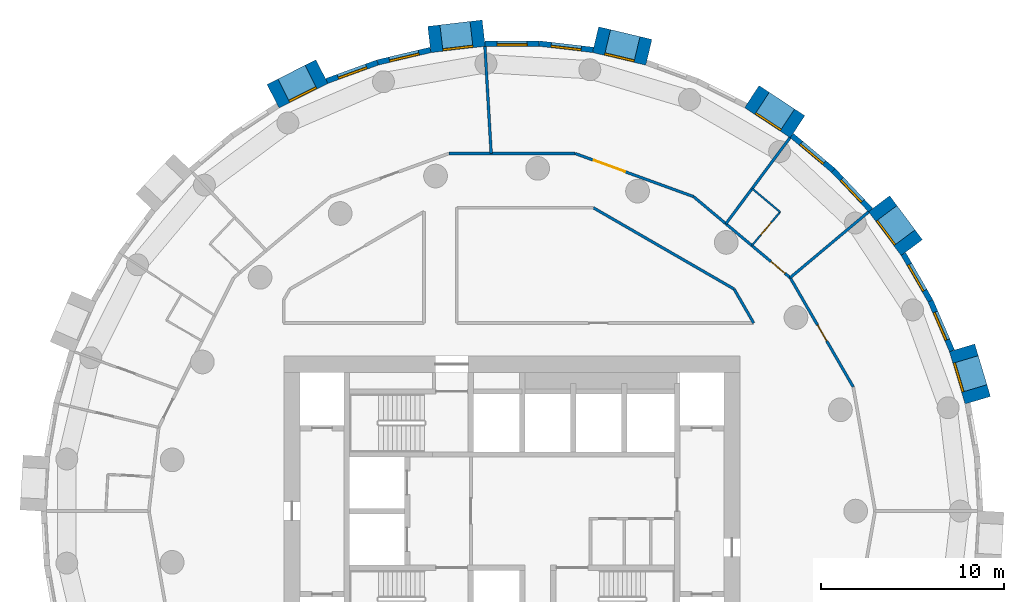
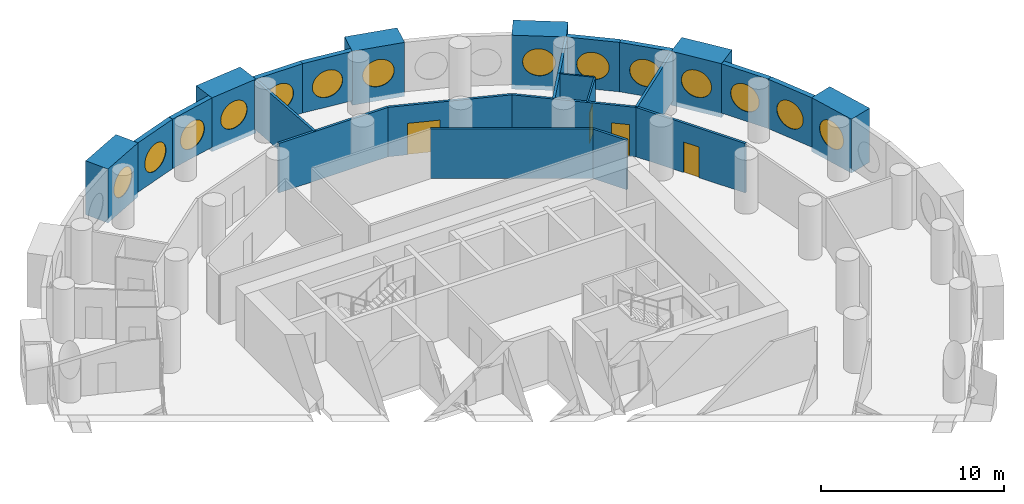
# One storey, part 7 of 9: 25 walls, 14 windows, 4 doors, 18 openings.
"""IFC4 building model written with IfcOpenShell, lengths in metres."""

from ifc_helpers import new_model, si_unit, direction, frame, frame_2d, origin, origin_2d, place, context, subcontext, project, spatial, rectangle, circle, extrude, material, layer, layer_set, type_object, element, fill, save


model = new_model("IFC4")

# Units and contexts
model_context = context("Model", 3, precision=1e-05, world=origin(), true_north=direction((0.0, 1.0)))
body_context = subcontext(model_context, "Body", "Model", "MODEL_VIEW")
ifc_project = project(units=[si_unit("LENGTHUNIT", "METRE"), si_unit("AREAUNIT", "SQUARE_METRE"), si_unit("VOLUMEUNIT", "CUBIC_METRE"), si_unit("PLANEANGLEUNIT", "RADIAN"), si_unit("MASSUNIT", "GRAM", prefix="KILO")], contexts=[model_context])

# Site, building, storey
site_placement = place(None, origin())
site = spatial("IfcSite", under=ifc_project, at=site_placement, CompositionType="ELEMENT")
building_placement = place(site_placement, origin())
building = spatial("IfcBuilding", under=site, at=building_placement, Name="Tracery Tower", CompositionType="ELEMENT")
storey_placement = place(building_placement, frame((0.0, 0.0, 180.0)))
storey = spatial("IfcBuildingStorey", under=building, at=storey_placement, Name="L46", CompositionType="ELEMENT", Elevation=180.0)

# Wall, opening, window
ifc_material_1 = material(Name="Precast concrete C50/60", Category="concrete")
ifc_layer_1 = layer(ifc_material_1, 1.449951171875)
ifc_layer_set_1 = layer_set([ifc_layer_1], Name="Deep-set bay unit 3000 x 3600, slab edge 300")
wall_type_1 = type_object("IfcWallType", Name="Deep-set bay unit 3000 x 3600, slab edge 300", PredefinedType="ELEMENTEDWALL", material=ifc_layer_set_1)
wall_1_placement = place(storey_placement, frame((25.509521484375, 6.0712890625, -0.300048828125), z_axis=(0.0, 0.0, 1.0), x_axis=(-0.286780420304, 0.957996341606, 0.0)))
wall_1 = element("IfcWall", 1, at=wall_1_placement, inside=storey, type_object=wall_type_1, Name="Deep-set bay unit 3 at L46", PredefinedType="ELEMENTEDWALL", context=body_context, shape_type="SweptSolid", body=[
    extrude(rectangle(XDim=3.0, YDim=1.449951171875, at=frame_2d((1.5, 0.0))), origin(), (0.0, 0.0, 1.0), 3.60009765625),
])
opening_1_placement = place(wall_1_placement, frame((1.5, 0.0, 1.85009765625)))
opening_1 = element("IfcOpeningElement", 2, at=opening_1_placement, cuts=wall_1, Name="Opening WN1", PredefinedType="OPENING", context=body_context, shape_type="SweptSolid", body=[
    extrude(circle(Radius=0.9000244140625, at=origin_2d()), frame((0.0, 0.73486328125, 0.0), z_axis=(0.0, -1.0, 0.0), x_axis=(1.0, 0.0, 0.0)), (0.0, 0.0, 1.0), 1.469970703125),
])
ifc_material_2 = material(Name="Aluminium frame with tinted double glazing", Category="aluminium")
window_type = type_object("IfcWindowType", Name="Round window 1800", PartitioningType="SINGLE_PANEL", PredefinedType="WINDOW", material=ifc_material_2)
window_1_placement = place(opening_1_placement, origin())
window_1 = element("IfcWindow", 3, at=window_1_placement, inside=storey, type_object=window_type, Name="Round window 3 at L46", OverallHeight=1.800048828125, OverallWidth=1.800048828125, PartitioningType="SINGLE_PANEL", PredefinedType="WINDOW", context=body_context, shape_type="SweptSolid", body=[
    extrude(circle(Radius=0.9000244140625, at=origin_2d()), frame((0.0, 0.69482421875, 0.0), z_axis=(0.0, -1.0, 0.0), x_axis=(1.0, 0.0, 0.0)), (0.0, 0.0, 1.0), 0.10009765625),
])
fill(opening_1, window_1)

wall_2_placement = place(storey_placement, frame((21.89453125, 14.429931640625, -0.300048828125), z_axis=(0.0, 0.0, 1.0), x_axis=(-0.597183717734, 0.802104486506, 0.0)))
wall_2 = element("IfcWall", 4, at=wall_2_placement, inside=storey, type_object=wall_type_1, Name="Deep-set bay unit 6 at L46", PredefinedType="ELEMENTEDWALL", context=body_context, shape_type="SweptSolid", body=[
    extrude(rectangle(XDim=3.0, YDim=1.449951171875, at=frame_2d((1.5, 0.0))), origin(), (0.0, 0.0, 1.0), 3.60009765625),
])
opening_2_placement = place(wall_2_placement, frame((1.5, 0.0, 1.85009765625)))
opening_2 = element("IfcOpeningElement", 5, at=opening_2_placement, cuts=wall_2, Name="Opening WN1", PredefinedType="OPENING", context=body_context, shape_type="SweptSolid", body=[
    extrude(circle(Radius=0.9000244140625, at=origin_2d()), frame((0.0, 0.73486328125, 0.0), z_axis=(0.0, -1.0, 0.0), x_axis=(1.0, 0.0, 0.0)), (0.0, 0.0, 1.0), 1.469970703125),
])
window_2_placement = place(opening_2_placement, origin())
window_2 = element("IfcWindow", 6, at=window_2_placement, inside=storey, type_object=window_type, Name="Round window 6 at L46", OverallHeight=1.800048828125, OverallWidth=1.800048828125, PartitioningType="SINGLE_PANEL", PredefinedType="WINDOW", context=body_context, shape_type="SweptSolid", body=[
    extrude(circle(Radius=0.9000244140625, at=origin_2d()), frame((0.0, 0.69482421875, 0.0), z_axis=(0.0, -1.0, 0.0), x_axis=(1.0, 0.0, 0.0)), (0.0, 0.0, 1.0), 0.10009765625),
])
fill(opening_2, window_2)

wall_3_placement = place(storey_placement, frame((15.638916015625, 21.048095703125, -0.300048828125), z_axis=(0.0, 0.0, 1.0), x_axis=(-0.835514416706, 0.549468524554, 0.0)))
wall_3 = element("IfcWall", 7, at=wall_3_placement, inside=storey, type_object=wall_type_1, Name="Deep-set bay unit 9 at L46", PredefinedType="ELEMENTEDWALL", context=body_context, shape_type="SweptSolid", body=[
    extrude(rectangle(XDim=3.0, YDim=1.449951171875, at=frame_2d((1.5, 0.0))), origin(), (0.0, 0.0, 1.0), 3.60009765625),
])
opening_3_placement = place(wall_3_placement, frame((1.5, 0.0, 1.85009765625)))
opening_3 = element("IfcOpeningElement", 8, at=opening_3_placement, cuts=wall_3, Name="Opening WN1", PredefinedType="OPENING", context=body_context, shape_type="SweptSolid", body=[
    extrude(circle(Radius=0.9000244140625, at=origin_2d()), frame((0.0, 0.73486328125, 0.0), z_axis=(0.0, -1.0, 0.0), x_axis=(1.0, 0.0, 0.0)), (0.0, 0.0, 1.0), 1.469970703125),
])
window_3_placement = place(opening_3_placement, origin())
window_3 = element("IfcWindow", 9, at=window_3_placement, inside=storey, type_object=window_type, Name="Round window 9 at L46", OverallHeight=1.800048828125, OverallWidth=1.800048828125, PartitioningType="SINGLE_PANEL", PredefinedType="WINDOW", context=body_context, shape_type="SweptSolid", body=[
    extrude(circle(Radius=0.9000244140625, at=origin_2d()), frame((0.0, 0.69482421875, 0.0), z_axis=(0.0, -1.0, 0.0), x_axis=(1.0, 0.0, 0.0)), (0.0, 0.0, 1.0), 0.10009765625),
])
fill(opening_3, window_3)

wall_4_placement = place(storey_placement, frame((7.496826171875, 25.12744140625, -0.300048828125), z_axis=(0.0, 0.0, 1.0), x_axis=(-0.973042333261, 0.23062657627, 0.0)))
wall_4 = element("IfcWall", 10, at=wall_4_placement, inside=storey, type_object=wall_type_1, Name="Deep-set bay unit 12 at L46", PredefinedType="ELEMENTEDWALL", context=body_context, shape_type="SweptSolid", body=[
    extrude(rectangle(XDim=3.0, YDim=1.449951171875, at=frame_2d((1.5, 0.0))), origin(), (0.0, 0.0, 1.0), 3.60009765625),
])
opening_4_placement = place(wall_4_placement, frame((1.5, 0.0, 1.85009765625)))
opening_4 = element("IfcOpeningElement", 11, at=opening_4_placement, cuts=wall_4, Name="Opening WN1", PredefinedType="OPENING", context=body_context, shape_type="SweptSolid", body=[
    extrude(circle(Radius=0.9000244140625, at=origin_2d()), frame((0.0, 0.73486328125, 0.0), z_axis=(0.0, -1.0, 0.0), x_axis=(1.0, 0.0, 0.0)), (0.0, 0.0, 1.0), 1.469970703125),
])
window_4_placement = place(opening_4_placement, origin())
window_4 = element("IfcWindow", 12, at=window_4_placement, inside=storey, type_object=window_type, Name="Round window 12 at L46", OverallHeight=1.800048828125, OverallWidth=1.800048828125, PartitioningType="SINGLE_PANEL", PredefinedType="WINDOW", context=body_context, shape_type="SweptSolid", body=[
    extrude(circle(Radius=0.9000244140625, at=origin_2d()), frame((0.0, 0.69482421875, 0.0), z_axis=(0.0, -1.0, 0.0), x_axis=(1.0, 0.0, 0.0)), (0.0, 0.0, 1.0), 0.10009765625),
])
fill(opening_4, window_4)

wall_5_placement = place(storey_placement, frame((-1.54931640625, 26.17626953125, -0.300048828125), z_axis=(0.0, 0.0, 1.0), x_axis=(-0.9932342274, -0.116128246006, 0.0)))
wall_5 = element("IfcWall", 13, at=wall_5_placement, inside=storey, type_object=wall_type_1, Name="Deep-set bay unit 15 at L46", PredefinedType="ELEMENTEDWALL", context=body_context, shape_type="SweptSolid", body=[
    extrude(rectangle(XDim=3.0, YDim=1.449951171875, at=frame_2d((1.5, 0.0))), origin(), (0.0, 0.0, 1.0), 3.60009765625),
])
opening_5_placement = place(wall_5_placement, frame((1.5, 0.0, 1.85009765625)))
opening_5 = element("IfcOpeningElement", 14, at=opening_5_placement, cuts=wall_5, Name="Opening WN1", PredefinedType="OPENING", context=body_context, shape_type="SweptSolid", body=[
    extrude(circle(Radius=0.9000244140625, at=origin_2d()), frame((0.0, 0.73486328125, 0.0), z_axis=(0.0, -1.0, 0.0), x_axis=(1.0, 0.0, 0.0)), (0.0, 0.0, 1.0), 1.469970703125),
])
window_5_placement = place(opening_5_placement, origin())
window_5 = element("IfcWindow", 15, at=window_5_placement, inside=storey, type_object=window_type, Name="Round window 15 at L46", OverallHeight=1.800048828125, OverallWidth=1.800048828125, PartitioningType="SINGLE_PANEL", PredefinedType="WINDOW", context=body_context, shape_type="SweptSolid", body=[
    extrude(circle(Radius=0.9000244140625, at=origin_2d()), frame((0.0, 0.69482421875, 0.0), z_axis=(0.0, -1.0, 0.0), x_axis=(1.0, 0.0, 0.0)), (0.0, 0.0, 1.0), 0.10009765625),
])
fill(opening_5, window_5)

wall_6_placement = place(storey_placement, frame((-10.40869140625, 24.067626953125, -0.300048828125), z_axis=(0.0, 0.0, 1.0), x_axis=(-0.893628249713, -0.448807922518, 0.0)))
wall_6 = element("IfcWall", 16, at=wall_6_placement, inside=storey, type_object=wall_type_1, Name="Deep-set bay unit 18 at L46", PredefinedType="ELEMENTEDWALL", context=body_context, shape_type="SweptSolid", body=[
    extrude(rectangle(XDim=3.0, YDim=1.449951171875, at=frame_2d((1.5, 0.0))), origin(), (0.0, 0.0, 1.0), 3.60009765625),
])
opening_6_placement = place(wall_6_placement, frame((1.5, 0.0, 1.85009765625)))
opening_6 = element("IfcOpeningElement", 17, at=opening_6_placement, cuts=wall_6, Name="Opening WN1", PredefinedType="OPENING", context=body_context, shape_type="SweptSolid", body=[
    extrude(circle(Radius=0.9000244140625, at=origin_2d()), frame((0.0, 0.73486328125, 0.0), z_axis=(0.0, -1.0, 0.0), x_axis=(1.0, 0.0, 0.0)), (0.0, 0.0, 1.0), 1.469970703125),
])
window_6_placement = place(opening_6_placement, origin())
window_6 = element("IfcWindow", 18, at=window_6_placement, inside=storey, type_object=window_type, Name="Round window 18 at L46", OverallHeight=1.800048828125, OverallWidth=1.800048828125, PartitioningType="SINGLE_PANEL", PredefinedType="WINDOW", context=body_context, shape_type="SweptSolid", body=[
    extrude(circle(Radius=0.9000244140625, at=origin_2d()), frame((0.0, 0.69482421875, 0.0), z_axis=(0.0, -1.0, 0.0), x_axis=(1.0, 0.0, 0.0)), (0.0, 0.0, 1.0), 0.10009765625),
])
fill(opening_6, window_6)

ifc_material_3 = material(Name="Precast concrete C50/60", Category="concrete")
ifc_layer_2 = layer(ifc_material_3, 0.300048828125)
ifc_layer_set_2 = layer_set([ifc_layer_2], Name="Facade panel 3000 x 3300")
wall_type_2 = type_object("IfcWallType", Name="Facade panel 3000 x 3300", PredefinedType="SOLIDWALL", material=ifc_layer_set_2)
wall_7_placement = place(storey_placement, frame((24.096923828125, 8.78076171875, 0.0), z_axis=(0.0, 0.0, 1.0), x_axis=(-0.396078892785, 0.918216483565, 0.0)))
wall_7 = element("IfcWall", 19, at=wall_7_placement, inside=storey, type_object=wall_type_2, Name="Facade panel 4 at L46", PredefinedType="SOLIDWALL", context=body_context, shape_type="SweptSolid", body=[
    extrude(rectangle(XDim=2.972900390625, YDim=0.300048828125, at=frame_2d((1.486328125, 0.0))), origin(), (0.0, 0.0, 1.0), 3.300048828125),
])
opening_7_placement = place(wall_7_placement, frame((1.486328125, 0.0, 1.5498046875)))
opening_7 = element("IfcOpeningElement", 20, at=opening_7_placement, cuts=wall_7, Name="Opening WN1", PredefinedType="OPENING", context=body_context, shape_type="SweptSolid", body=[
    extrude(circle(Radius=0.9000244140625, at=origin_2d()), frame((0.0, 0.159912109375, 0.0), z_axis=(0.0, -1.0, 0.0), x_axis=(1.0, 0.0, 0.0)), (0.0, 0.0, 1.0), 0.320068359375),
])
window_7_placement = place(opening_7_placement, origin())
window_7 = element("IfcWindow", 21, at=window_7_placement, inside=storey, type_object=window_type, Name="Round window 4 at L46", OverallHeight=1.800048828125, OverallWidth=1.800048828125, PartitioningType="SINGLE_PANEL", PredefinedType="WINDOW", context=body_context, shape_type="SweptSolid", body=[
    extrude(circle(Radius=0.9000244140625, at=origin_2d()), frame((0.0, 0.1201171875, 0.0), z_axis=(0.0, -1.0, 0.0), x_axis=(1.0, 0.0, 0.0)), (0.0, 0.0, 1.0), 0.10009765625),
])
fill(opening_7, window_7)

wall_8_placement = place(storey_placement, frame((22.91943359375, 11.510498046875, 0.0), z_axis=(0.0, 0.0, 1.0), x_axis=(-0.500016263033, 0.866016014115, 0.0)))
wall_8 = element("IfcWall", 22, at=wall_8_placement, inside=storey, type_object=wall_type_2, Name="Facade panel 5 at L46", PredefinedType="SOLIDWALL", context=body_context, shape_type="SweptSolid", body=[
    extrude(rectangle(XDim=2.97314453125, YDim=0.300048828125, at=frame_2d((1.486572265625, 0.0))), origin(), (0.0, 0.0, 1.0), 3.300048828125),
])
opening_8_placement = place(wall_8_placement, frame((1.486328125, 0.0, 1.5498046875)))
opening_8 = element("IfcOpeningElement", 23, at=opening_8_placement, cuts=wall_8, Name="Opening WN1", PredefinedType="OPENING", context=body_context, shape_type="SweptSolid", body=[
    extrude(circle(Radius=0.9000244140625, at=origin_2d()), frame((0.0, 0.159912109375, 0.0), z_axis=(0.0, -1.0, 0.0), x_axis=(1.0, 0.0, 0.0)), (0.0, 0.0, 1.0), 0.320068359375),
])
window_8_placement = place(opening_8_placement, origin())
window_8 = element("IfcWindow", 24, at=window_8_placement, inside=storey, type_object=window_type, Name="Round window 5 at L46", OverallHeight=1.800048828125, OverallWidth=1.800048828125, PartitioningType="SINGLE_PANEL", PredefinedType="WINDOW", context=body_context, shape_type="SweptSolid", body=[
    extrude(circle(Radius=0.9000244140625, at=origin_2d()), frame((0.0, 0.1201171875, 0.0), z_axis=(0.0, -1.0, 0.0), x_axis=(1.0, 0.0, 0.0)), (0.0, 0.0, 1.0), 0.10009765625),
])
fill(opening_8, window_8)

wall_9_placement = place(storey_placement, frame((19.640380859375, 16.492919921875, 0.0), z_axis=(0.0, 0.0, 1.0), x_axis=(-0.686235184166, 0.727379730273, 0.0)))
wall_9 = element("IfcWall", 25, at=wall_9_placement, inside=storey, type_object=wall_type_2, Name="Facade panel 7 at L46", PredefinedType="SOLIDWALL", context=body_context, shape_type="SweptSolid", body=[
    extrude(rectangle(XDim=2.972900390625, YDim=0.300048828125, at=frame_2d((1.486328125, 0.0))), origin(), (0.0, 0.0, 1.0), 3.300048828125),
])
opening_9_placement = place(wall_9_placement, frame((1.486328125, 0.0, 1.5498046875)))
opening_9 = element("IfcOpeningElement", 26, at=opening_9_placement, cuts=wall_9, Name="Opening WN1", PredefinedType="OPENING", context=body_context, shape_type="SweptSolid", body=[
    extrude(circle(Radius=0.9000244140625, at=origin_2d()), frame((0.0, 0.159912109375, 0.0), z_axis=(0.0, -1.0, 0.0), x_axis=(1.0, 0.0, 0.0)), (0.0, 0.0, 1.0), 0.320068359375),
])
window_9_placement = place(opening_9_placement, origin())
window_9 = element("IfcWindow", 27, at=window_9_placement, inside=storey, type_object=window_type, Name="Round window 7 at L46", OverallHeight=1.800048828125, OverallWidth=1.800048828125, PartitioningType="SINGLE_PANEL", PredefinedType="WINDOW", context=body_context, shape_type="SweptSolid", body=[
    extrude(circle(Radius=0.9000244140625, at=origin_2d()), frame((0.0, 0.1201171875, 0.0), z_axis=(0.0, -1.0, 0.0), x_axis=(1.0, 0.0, 0.0)), (0.0, 0.0, 1.0), 0.10009765625),
])
fill(opening_9, window_9)

wall_10_placement = place(storey_placement, frame((17.600341796875, 18.6552734375, 0.0), z_axis=(0.0, 0.0, 1.0), x_axis=(-0.766049350637, 0.642781761089, 0.0)))
wall_10 = element("IfcWall", 28, at=wall_10_placement, inside=storey, type_object=wall_type_2, Name="Facade panel 8 at L46", PredefinedType="SOLIDWALL", context=body_context, shape_type="SweptSolid", body=[
    extrude(rectangle(XDim=2.972900390625, YDim=0.300048828125, at=frame_2d((1.486328125, 0.0))), origin(), (0.0, 0.0, 1.0), 3.300048828125),
])
opening_10_placement = place(wall_10_placement, frame((1.486328125, 0.0, 1.5498046875)))
opening_10 = element("IfcOpeningElement", 29, at=opening_10_placement, cuts=wall_10, Name="Opening WN1", PredefinedType="OPENING", context=body_context, shape_type="SweptSolid", body=[
    extrude(circle(Radius=0.9000244140625, at=origin_2d()), frame((0.0, 0.159912109375, 0.0), z_axis=(0.0, -1.0, 0.0), x_axis=(1.0, 0.0, 0.0)), (0.0, 0.0, 1.0), 0.320068359375),
])
window_10_placement = place(opening_10_placement, origin())
window_10 = element("IfcWindow", 30, at=window_10_placement, inside=storey, type_object=window_type, Name="Round window 8 at L46", OverallHeight=1.800048828125, OverallWidth=1.800048828125, PartitioningType="SINGLE_PANEL", PredefinedType="WINDOW", context=body_context, shape_type="SweptSolid", body=[
    extrude(circle(Radius=0.9000244140625, at=origin_2d()), frame((0.0, 0.1201171875, 0.0), z_axis=(0.0, -1.0, 0.0), x_axis=(1.0, 0.0, 0.0)), (0.0, 0.0, 1.0), 0.10009765625),
])
fill(opening_10, window_10)

wall_11_placement = place(storey_placement, frame((4.444091796875, 25.259033203125, 0.0), z_axis=(0.0, 0.0, 1.0), x_axis=(-0.993245010522, 0.1160359818, 0.0)))
wall_11 = element("IfcWall", 31, at=wall_11_placement, inside=storey, type_object=wall_type_2, Name="Facade panel 13 at L46", PredefinedType="SOLIDWALL", context=body_context, shape_type="SweptSolid", body=[
    extrude(rectangle(XDim=2.972900390625, YDim=0.300048828125, at=frame_2d((1.486328125, 0.0))), origin(), (0.0, 0.0, 1.0), 3.300048828125),
])
opening_11_placement = place(wall_11_placement, frame((1.486328125, 0.0, 1.5498046875)))
opening_11 = element("IfcOpeningElement", 32, at=opening_11_placement, cuts=wall_11, Name="Opening WN1", PredefinedType="OPENING", context=body_context, shape_type="SweptSolid", body=[
    extrude(circle(Radius=0.9000244140625, at=origin_2d()), frame((0.0, 0.159912109375, 0.0), z_axis=(0.0, -1.0, 0.0), x_axis=(1.0, 0.0, 0.0)), (0.0, 0.0, 1.0), 0.320068359375),
])
window_11_placement = place(opening_11_placement, origin())
window_11 = element("IfcWindow", 33, at=window_11_placement, inside=storey, type_object=window_type, Name="Round window 13 at L46", OverallHeight=1.800048828125, OverallWidth=1.800048828125, PartitioningType="SINGLE_PANEL", PredefinedType="WINDOW", context=body_context, shape_type="SweptSolid", body=[
    extrude(circle(Radius=0.9000244140625, at=origin_2d()), frame((0.0, 0.1201171875, 0.0), z_axis=(0.0, -1.0, 0.0), x_axis=(1.0, 0.0, 0.0)), (0.0, 0.0, 1.0), 0.10009765625),
])
fill(opening_11, window_11)

wall_12_placement = place(storey_placement, frame((1.4912109375, 25.60400390625, 0.0), z_axis=(0.0, 0.0, 1.0), x_axis=(-1.0, 0.0, 0.0)))
wall_12 = element("IfcWall", 34, at=wall_12_placement, inside=storey, type_object=wall_type_2, Name="Facade panel 14 at L46", PredefinedType="SOLIDWALL", context=body_context, shape_type="SweptSolid", body=[
    extrude(rectangle(XDim=2.972900390625, YDim=0.300048828125, at=frame_2d((1.486328125, 0.0))), origin(), (0.0, 0.0, 1.0), 3.300048828125),
])
opening_12_placement = place(wall_12_placement, frame((1.486328125, 0.0, 1.5498046875)))
opening_12 = element("IfcOpeningElement", 35, at=opening_12_placement, cuts=wall_12, Name="Opening WN1", PredefinedType="OPENING", context=body_context, shape_type="SweptSolid", body=[
    extrude(circle(Radius=0.9000244140625, at=origin_2d()), frame((0.0, 0.159912109375, 0.0), z_axis=(0.0, -1.0, 0.0), x_axis=(1.0, 0.0, 0.0)), (0.0, 0.0, 1.0), 0.320068359375),
])
window_12_placement = place(opening_12_placement, origin())
window_12 = element("IfcWindow", 36, at=window_12_placement, inside=storey, type_object=window_type, Name="Round window 14 at L46", OverallHeight=1.800048828125, OverallWidth=1.800048828125, PartitioningType="SINGLE_PANEL", PredefinedType="WINDOW", context=body_context, shape_type="SweptSolid", body=[
    extrude(circle(Radius=0.9000244140625, at=origin_2d()), frame((0.0, 0.1201171875, 0.0), z_axis=(0.0, -1.0, 0.0), x_axis=(1.0, 0.0, 0.0)), (0.0, 0.0, 1.0), 0.10009765625),
])
fill(opening_12, window_12)

wall_13_placement = place(storey_placement, frame((-4.463134765625, 25.255615234375, 0.0), z_axis=(0.0, 0.0, 1.0), x_axis=(-0.973045378923, -0.230613725862, 0.0)))
wall_13 = element("IfcWall", 37, at=wall_13_placement, inside=storey, type_object=wall_type_2, Name="Facade panel 16 at L46", PredefinedType="SOLIDWALL", context=body_context, shape_type="SweptSolid", body=[
    extrude(rectangle(XDim=2.97265625, YDim=0.300048828125, at=frame_2d((1.486328125, 0.0))), origin(), (0.0, 0.0, 1.0), 3.300048828125),
])
opening_13_placement = place(wall_13_placement, frame((1.486328125, 0.0, 1.5498046875)))
opening_13 = element("IfcOpeningElement", 38, at=opening_13_placement, cuts=wall_13, Name="Opening WN1", PredefinedType="OPENING", context=body_context, shape_type="SweptSolid", body=[
    extrude(circle(Radius=0.9000244140625, at=origin_2d()), frame((0.0, 0.159912109375, 0.0), z_axis=(0.0, -1.0, 0.0), x_axis=(1.0, 0.0, 0.0)), (0.0, 0.0, 1.0), 0.320068359375),
])
window_13_placement = place(opening_13_placement, origin())
window_13 = element("IfcWindow", 39, at=window_13_placement, inside=storey, type_object=window_type, Name="Round window 16 at L46", OverallHeight=1.800048828125, OverallWidth=1.800048828125, PartitioningType="SINGLE_PANEL", PredefinedType="WINDOW", context=body_context, shape_type="SweptSolid", body=[
    extrude(circle(Radius=0.9000244140625, at=origin_2d()), frame((0.0, 0.1201171875, 0.0), z_axis=(0.0, -1.0, 0.0), x_axis=(1.0, 0.0, 0.0)), (0.0, 0.0, 1.0), 0.10009765625),
])
fill(opening_13, window_13)

wall_14_placement = place(storey_placement, frame((-7.355712890625, 24.570068359375, 0.0), z_axis=(0.0, 0.0, 1.0), x_axis=(-0.939690282133, -0.342026568652, 0.0)))
wall_14 = element("IfcWall", 40, at=wall_14_placement, inside=storey, type_object=wall_type_2, Name="Facade panel 17 at L46", PredefinedType="SOLIDWALL", context=body_context, shape_type="SweptSolid", body=[
    extrude(rectangle(XDim=2.972900390625, YDim=0.300048828125, at=frame_2d((1.486328125, 0.0))), origin(), (0.0, 0.0, 1.0), 3.300048828125),
])
opening_14_placement = place(wall_14_placement, frame((1.486328125, 0.0, 1.5498046875)))
opening_14 = element("IfcOpeningElement", 41, at=opening_14_placement, cuts=wall_14, Name="Opening WN1", PredefinedType="OPENING", context=body_context, shape_type="SweptSolid", body=[
    extrude(circle(Radius=0.9000244140625, at=origin_2d()), frame((0.0, 0.159912109375, 0.0), z_axis=(0.0, -1.0, 0.0), x_axis=(1.0, 0.0, 0.0)), (0.0, 0.0, 1.0), 0.320068359375),
])
window_14_placement = place(opening_14_placement, origin())
window_14 = element("IfcWindow", 42, at=window_14_placement, inside=storey, type_object=window_type, Name="Round window 17 at L46", OverallHeight=1.800048828125, OverallWidth=1.800048828125, PartitioningType="SINGLE_PANEL", PredefinedType="WINDOW", context=body_context, shape_type="SweptSolid", body=[
    extrude(circle(Radius=0.9000244140625, at=origin_2d()), frame((0.0, 0.1201171875, 0.0), z_axis=(0.0, -1.0, 0.0), x_axis=(1.0, 0.0, 0.0)), (0.0, 0.0, 1.0), 0.10009765625),
])
fill(opening_14, window_14)

# Wall, opening, door
ifc_material_4 = material(Name="Plasterboard on steel studs", Category="steel")
ifc_layer_3 = layer(ifc_material_4, 0.10009765625)
ifc_layer_set_3 = layer_set([ifc_layer_3], Name="Partition 100 wet wall")
wall_type_3 = type_object("IfcWallType", Name="Partition 100 wet wall", PredefinedType="PARTITIONING", material=ifc_layer_set_3)
wall_15_placement = place(storey_placement, frame((13.138916015625, 14.5419921875, 0.0), z_axis=(0.0, 0.0, 1.0), x_axis=(0.642731657745, 0.766091388891, 0.0)))
wall_15 = element("IfcWall", 43, at=wall_15_placement, inside=storey, type_object=wall_type_3, Name="Wet wall RB6-041", PredefinedType="PARTITIONING", context=body_context, shape_type="SweptSolid", body=[
    extrude(rectangle(XDim=2.400634765625, YDim=0.10009765625, at=frame_2d((1.2001953125, 0.0))), origin(), (0.0, 0.0, 1.0), 3.300048828125),
])
opening_15_placement = place(wall_15_placement, frame((0.75, 0.0, 0.0)))
opening_15 = element("IfcOpeningElement", 44, at=opening_15_placement, cuts=wall_15, Name="Opening RB6-06", PredefinedType="OPENING", context=body_context, shape_type="SweptSolid", body=[
    extrude(rectangle(XDim=0.89990234375, YDim=2.0400390625, at=frame_2d((0.449951171875, 1.02001953125))), frame((0.0, 0.050048828125, 0.0), z_axis=(0.0, -1.0, 0.0), x_axis=(1.0, 0.0, 0.0)), (0.0, 0.0, 1.0), 0.10009765625),
])
ifc_material_5 = material(Name="Timber door leaf", Category="wood")
door_type_1 = type_object("IfcDoorType", Name="Door en-suite 900", OperationType="NOTDEFINED", PredefinedType="DOOR", material=ifc_material_5)
door_1_placement = place(opening_15_placement, origin())
door_1 = element("IfcDoor", 45, at=door_1_placement, inside=storey, type_object=door_type_1, Name="En-suite door RB6-06", OperationType="SINGLE_SWING_LEFT", OverallHeight=2.0400390625, OverallWidth=0.89990234375, PredefinedType="DOOR", context=body_context, shape_type="SweptSolid", body=[
    extrude(rectangle(XDim=0.89990234375, YDim=2.0400390625, at=frame_2d((0.449951171875, 1.02001953125))), frame((0.0, 0.02490234375, 0.0), z_axis=(0.0, -1.0, 0.0), x_axis=(1.0, 0.0, 0.0)), (0.0, 0.0, 1.0), 0.050048828125),
])
fill(opening_15, door_1)

# Walls
wall_16_placement = place(storey_placement, frame((13.15087890625, 17.6650390625, 0.0), z_axis=(0.0, 0.0, 1.0), x_axis=(0.766224532916, -0.642572925945, 0.0)))
element("IfcWall", 46, at=wall_16_placement, inside=storey, type_object=wall_type_3, Name="Wet wall RB6-042", PredefinedType="PARTITIONING", context=body_context, shape_type="SweptSolid", body=[
    extrude(rectangle(XDim=1.998046875, YDim=0.10009765625, at=frame_2d((0.9990234375, 0.0))), origin(), (0.0, 0.0, 1.0), 3.300048828125),
])
ifc_material_6 = material(Name="Plasterboard on steel studs", Category="steel")
ifc_layer_4 = layer(ifc_material_6, 0.14990234375)
ifc_layer_set_4 = layer_set([ifc_layer_4], Name="Partition 150 acoustic unit wall")
wall_type_4 = type_object("IfcWallType", Name="Partition 150 acoustic unit wall", PredefinedType="PARTITIONING", material=ifc_layer_set_4)
wall_17_placement = place(storey_placement, frame((15.235107421875, 12.783935546875, 0.0), z_axis=(0.0, 0.0, 1.0), x_axis=(0.76609059793, 0.642732600514, 0.0)))
element("IfcWall", 47, at=wall_17_placement, inside=storey, type_object=wall_type_4, Name="Unit wall RB6-039", PredefinedType="PARTITIONING", context=body_context, shape_type="SweptSolid", body=[
    extrude(rectangle(XDim=5.60888671875, YDim=0.14990234375, at=frame_2d((2.804443359375, 0.0))), origin(), (0.0, 0.0, 1.0), 3.300048828125),
])
wall_18_placement = place(storey_placement, frame((11.7158203125, 15.7373046875, 0.0), z_axis=(0.0, 0.0, 1.0), x_axis=(0.597198494348, 0.802093484793, 0.0)))
element("IfcWall", 48, at=wall_18_placement, inside=storey, type_object=wall_type_4, Name="Unit wall RB6-043", PredefinedType="PARTITIONING", context=body_context, shape_type="SweptSolid", body=[
    extrude(rectangle(XDim=5.8779296875, YDim=0.14990234375, at=frame_2d((2.93896484375, 0.0))), origin(), (0.0, 0.0, 1.0), 3.300048828125),
])
wall_19_placement = place(storey_placement, frame((-1.48291015625, 25.4541015625, 0.0), z_axis=(0.0, 0.0, 1.0), x_axis=(0.058147412668, -0.998308007781, 0.0)))
element("IfcWall", 49, at=wall_19_placement, inside=storey, type_object=wall_type_4, Name="Unit wall RB6-044", PredefinedType="PARTITIONING", context=body_context, shape_type="SweptSolid", body=[
    extrude(rectangle(XDim=5.878173828125, YDim=0.14990234375, at=frame_2d((2.93896484375, 0.0))), origin(), (0.0, 0.0, 1.0), 3.300048828125),
])
ifc_material_7 = material(Name="Plasterboard on steel studs", Category="steel")
ifc_layer_5 = layer(ifc_material_7, 0.14990234375)
ifc_layer_set_5 = layer_set([ifc_layer_5], Name="Partition 150 corridor wall")
wall_type_5 = type_object("IfcWallType", Name="Partition 150 corridor wall", PredefinedType="PARTITIONING", material=ifc_layer_set_5)
wall_20_placement = place(storey_placement, frame((12.162109375, 12.162109375, 0.0), z_axis=(0.0, 0.0, 1.0), x_axis=(0.499961633463, -0.866047553582, 0.0)))
element("IfcWall", 50, at=wall_20_placement, inside=storey, type_object=wall_type_5, Name="Corridor wall RB6-005", PredefinedType="PARTITIONING", context=body_context, shape_type="SweptSolid", body=[
    extrude(rectangle(XDim=2.150146484375, YDim=0.14990234375, at=frame_2d((1.0751953125, 0.0))), origin(), (0.0, 0.0, 1.0), 3.300048828125),
])

# Wall, opening, door
wall_21_placement = place(storey_placement, frame((15.235107421875, 12.783935546875, 0.0), z_axis=(0.0, 0.0, 1.0), x_axis=(0.499914202267, -0.866074933462, 0.0)))
wall_21 = element("IfcWall", 51, at=wall_21_placement, inside=storey, type_object=wall_type_5, Name="Corridor wall RB6-007", PredefinedType="PARTITIONING", context=body_context, shape_type="SweptSolid", body=[
    extrude(rectangle(XDim=6.906982421875, YDim=0.14990234375, at=frame_2d((3.45361328125, 0.0))), origin(), (0.0, 0.0, 1.0), 3.300048828125),
])
opening_16_placement = place(wall_21_placement, frame((3.00390625, 0.0, 0.0)))
opening_16 = element("IfcOpeningElement", 52, at=opening_16_placement, cuts=wall_21, Name="Opening RB6-05", PredefinedType="OPENING", context=body_context, shape_type="SweptSolid", body=[
    extrude(rectangle(XDim=1.0, YDim=2.0400390625, at=frame_2d((0.5, 1.02001953125))), frame((0.0, 0.074951171875, 0.0), z_axis=(0.0, -1.0, 0.0), x_axis=(1.0, 0.0, 0.0)), (0.0, 0.0, 1.0), 0.14990234375),
])
ifc_material_8 = material(Name="Timber door leaf", Category="wood")
door_type_2 = type_object("IfcDoorType", Name="Door communal room 1000", OperationType="NOTDEFINED", PredefinedType="DOOR", material=ifc_material_8)
door_2_placement = place(opening_16_placement, origin())
door_2 = element("IfcDoor", 53, at=door_2_placement, inside=storey, type_object=door_type_2, Name="Communal room door RB6-05", OperationType="SINGLE_SWING_RIGHT", OverallHeight=2.0400390625, OverallWidth=1.0, PredefinedType="DOOR", context=body_context, shape_type="SweptSolid", body=[
    extrude(rectangle(XDim=1.0, YDim=2.0400390625, at=frame_2d((0.5, 1.02001953125))), frame((0.0, 0.02490234375, 0.0), z_axis=(0.0, -1.0, 0.0), x_axis=(1.0, 0.0, 0.0)), (0.0, 0.0, 1.0), 0.050048828125),
])
fill(opening_16, door_2)

wall_22_placement = place(storey_placement, frame((9.943359375, 17.22216796875, 0.0), z_axis=(0.0, 0.0, 1.0), x_axis=(0.766192104565, -0.642611592567, 0.0)))
wall_22 = element("IfcWall", 54, at=wall_22_placement, inside=storey, type_object=wall_type_5, Name="Corridor wall RB6-009", PredefinedType="PARTITIONING", context=body_context, shape_type="SweptSolid", body=[
    extrude(rectangle(XDim=6.906494140625, YDim=0.14990234375, at=frame_2d((3.453125, 0.0))), origin(), (0.0, 0.0, 1.0), 3.300048828125),
])
opening_17_placement = place(wall_22_placement, frame((5.53662109375, 0.0, 0.0)))
opening_17 = element("IfcOpeningElement", 55, at=opening_17_placement, cuts=wall_22, Name="Opening RB6-07", PredefinedType="OPENING", context=body_context, shape_type="SweptSolid", body=[
    extrude(rectangle(XDim=1.0, YDim=2.10009765625, at=frame_2d((0.5, 1.050048828125))), frame((0.0, 0.074951171875, 0.0), z_axis=(0.0, -1.0, 0.0), x_axis=(1.0, 0.0, 0.0)), (0.0, 0.0, 1.0), 0.14990234375),
])
ifc_material_9 = material(Name="Timber door leaf", Category="wood")
door_type_3 = type_object("IfcDoorType", Name="Door unit entrance 1000", OperationType="NOTDEFINED", PredefinedType="DOOR", material=ifc_material_9)
door_3_placement = place(opening_17_placement, origin())
door_3 = element("IfcDoor", 56, at=door_3_placement, inside=storey, type_object=door_type_3, Name="Unit entrance door RB6-07", OperationType="SINGLE_SWING_RIGHT", OverallHeight=2.10009765625, OverallWidth=1.0, PredefinedType="DOOR", context=body_context, shape_type="SweptSolid", body=[
    extrude(rectangle(XDim=1.0, YDim=2.10009765625, at=frame_2d((0.5, 1.050048828125))), frame((0.0, 0.02490234375, 0.0), z_axis=(0.0, -1.0, 0.0), x_axis=(1.0, 0.0, 0.0)), (0.0, 0.0, 1.0), 0.050048828125),
])
fill(opening_17, door_3)

# Walls
wall_23_placement = place(storey_placement, frame((4.451904296875, 16.614013671875, 0.0), z_axis=(0.0, 0.0, 1.0), x_axis=(0.866005203721, -0.500034985904, 0.0)))
element("IfcWall", 57, at=wall_23_placement, inside=storey, type_object=wall_type_5, Name="Corridor wall RB6-015", PredefinedType="PARTITIONING", context=body_context, shape_type="SweptSolid", body=[
    extrude(rectangle(XDim=8.903076171875, YDim=0.14990234375, at=frame_2d((4.45166015625, 0.0))), origin(), (0.0, 0.0, 1.0), 3.300048828125),
])
wall_24_placement = place(storey_placement, frame((-3.452880859375, 19.5859375, 0.0), z_axis=(0.0, 0.0, 1.0), x_axis=(1.0, 0.0, 0.0)))
element("IfcWall", 58, at=wall_24_placement, inside=storey, type_object=wall_type_5, Name="Corridor wall RB6-018", PredefinedType="PARTITIONING", context=body_context, shape_type="SweptSolid", body=[
    extrude(rectangle(XDim=6.90576171875, YDim=0.14990234375, at=frame_2d((3.452880859375, 0.0))), origin(), (0.0, 0.0, 1.0), 3.300048828125),
])

# Wall, opening, door
wall_25_placement = place(storey_placement, frame((3.452880859375, 19.5859375, 0.0), z_axis=(0.0, 0.0, 1.0), x_axis=(0.939672634566, -0.342075050021, 0.0)))
wall_25 = element("IfcWall", 59, at=wall_25_placement, inside=storey, type_object=wall_type_5, Name="Corridor wall RB6-019", PredefinedType="PARTITIONING", context=body_context, shape_type="SweptSolid", body=[
    extrude(rectangle(XDim=6.907958984375, YDim=0.14990234375, at=frame_2d((3.4541015625, 0.0))), origin(), (0.0, 0.0, 1.0), 3.300048828125),
])
opening_18_placement = place(wall_25_placement, frame((1.10400390625, 0.0, 0.0)))
opening_18 = element("IfcOpeningElement", 60, at=opening_18_placement, cuts=wall_25, Name="Opening RB6-08", PredefinedType="OPENING", context=body_context, shape_type="SweptSolid", body=[
    extrude(rectangle(XDim=1.800048828125, YDim=2.10009765625, at=frame_2d((0.89990234375, 1.050048828125))), frame((0.0, 0.074951171875, 0.0), z_axis=(0.0, -1.0, 0.0), x_axis=(1.0, 0.0, 0.0)), (0.0, 0.0, 1.0), 0.14990234375),
])
ifc_material_10 = material(Name="Timber door leaf", Category="wood")
door_type_4 = type_object("IfcDoorType", Name="Door double lounge 1800", OperationType="NOTDEFINED", PredefinedType="DOOR", material=ifc_material_10)
door_4_placement = place(opening_18_placement, origin())
door_4 = element("IfcDoor", 61, at=door_4_placement, inside=storey, type_object=door_type_4, Name="Double lounge door RB6-08", OperationType="DOUBLE_DOOR_SINGLE_SWING", OverallHeight=2.10009765625, OverallWidth=1.800048828125, PredefinedType="DOOR", context=body_context, shape_type="SweptSolid", body=[
    extrude(rectangle(XDim=1.800048828125, YDim=2.10009765625, at=frame_2d((0.89990234375, 1.050048828125))), frame((0.0, 0.02490234375, 0.0), z_axis=(0.0, -1.0, 0.0), x_axis=(1.0, 0.0, 0.0)), (0.0, 0.0, 1.0), 0.050048828125),
])
fill(opening_18, door_4)

save(model, "model.ifc")
